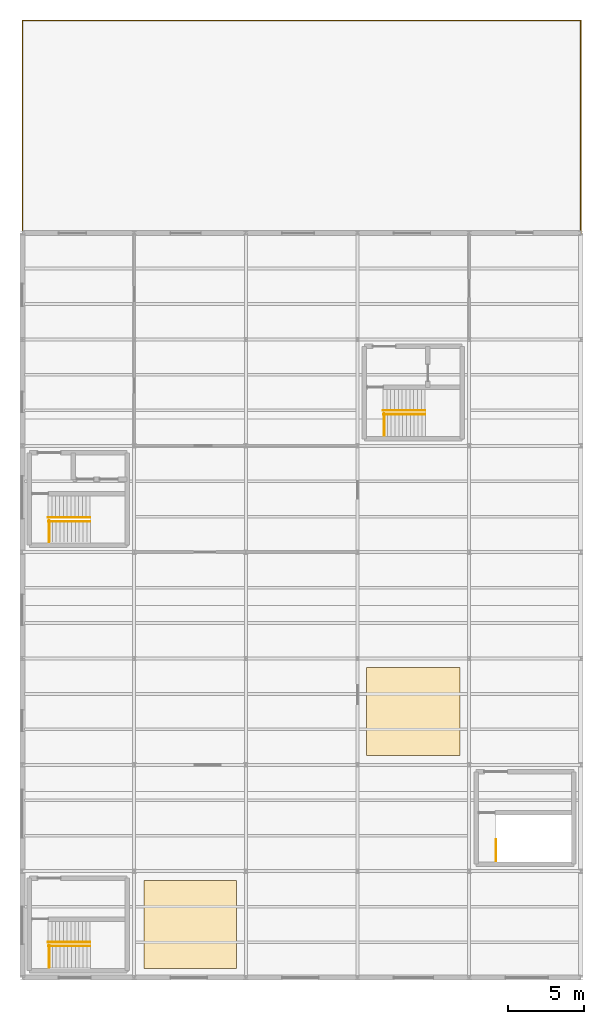
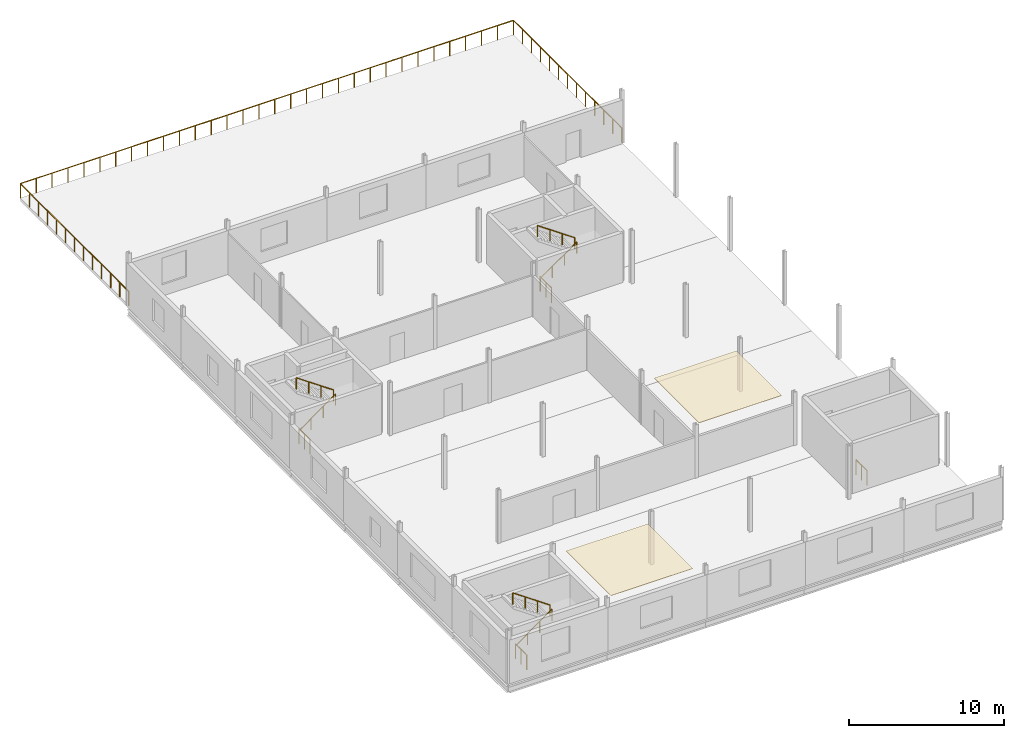
# One storey, part 9 of 9: 11 railings, 2 coverings.
"""IFC4 building model written with IfcOpenShell, lengths in metres."""

from ifc_helpers import new_model, si_unit, direction, frame, origin, origin_2d, place, context, subcontext, project, spatial, polyline, circle, outline, extrude, material, layer, layer_set, type_object, element, save


model = new_model("IFC4")

# Units and contexts
model_context = context("Model", 3, precision=1e-05, world=origin(), true_north=direction((0.0, 1.0)))
body_context = subcontext(model_context, "Body", "Model", "MODEL_VIEW")
ifc_project = project(units=[si_unit("LENGTHUNIT", "METRE"), si_unit("AREAUNIT", "SQUARE_METRE"), si_unit("VOLUMEUNIT", "CUBIC_METRE"), si_unit("PLANEANGLEUNIT", "RADIAN"), si_unit("MASSUNIT", "GRAM", prefix="KILO")], contexts=[model_context])

# Site, building, storey
site_placement = place(None, origin())
site = spatial("IfcSite", under=ifc_project, at=site_placement, CompositionType="ELEMENT")
building_placement = place(site_placement, origin())
building = spatial("IfcBuilding", under=site, at=building_placement, Name="Kazenagashi Tramway Depot", CompositionType="ELEMENT")
storey_placement = place(building_placement, frame((0.0, 0.0, 15.3)))
storey = spatial("IfcBuildingStorey", under=building, at=storey_placement, Name="L04", CompositionType="ELEMENT", Elevation=15.3)

# Coverings
ifc_material_1 = material(Name="Acoustic Mineral Fibre Board", Category="insulation")
ifc_layer = layer(ifc_material_1, 0.035)
ifc_layer_set = layer_set([ifc_layer], Name="Acoustic Mineral Fibre Board")
covering_type = type_object("IfcCoveringType", Name="CV-CE1", PredefinedType="CEILING", material=ifc_layer_set)
covering_1_placement = place(storey_placement, frame((0.0, 0.0, 3.67)))
element("IfcCovering", 1, at=covering_1_placement, inside=storey, type_object=covering_type, Name="Acoustic Baffle Ceiling Panel 6", PredefinedType="CEILING", context=body_context, shape_type="SweptSolid", body=[
    extrude(outline(polyline([(8.0, 0.6), (14.1, 0.6), (14.1, 6.4), (8.0, 6.4), (8.0, 0.6)])), origin(), (0.0, 0.0, 1.0), 0.035),
])
covering_2_placement = place(storey_placement, frame((0.0, 0.0, 3.67)))
element("IfcCovering", 2, at=covering_2_placement, inside=storey, type_object=covering_type, Name="Acoustic Baffle Ceiling Panel 7", PredefinedType="CEILING", context=body_context, shape_type="SweptSolid", body=[
    extrude(outline(polyline([(22.65, 14.6), (28.8, 14.6), (28.8, 20.4), (22.65, 20.4), (22.65, 14.6)])), origin(), (0.0, 0.0, 1.0), 0.035),
])

# Railings
ifc_material_2 = material(Name="Galvanised Painted Steel Balustrade", Category="steel")
railing_type_1 = type_object("IfcRailingType", Name="GR-01", PredefinedType="GUARDRAIL", material=ifc_material_2)
railing_1_placement = place(storey_placement, frame((0.0, 49.0, 0.0)))
element("IfcRailing", 3, at=railing_1_placement, inside=storey, type_object=railing_type_1, Name="Terrace Perimeter Guardrail GR-01 3", PredefinedType="GUARDRAIL", context=body_context, shape_type="SweptSolid", body=[
    extrude(circle(Radius=0.024, at=origin_2d()), frame((0.0, 0.0, 1.126), z_axis=(0.0, 1.0, 0.0), x_axis=(-1.0, 0.0, 0.0)), (0.0, 0.0, 1.0), 14.0),
    extrude(circle(Radius=0.024, at=origin_2d()), frame((0.0, 14.0, 1.126), z_axis=(1.0, 0.0, 0.0), x_axis=(0.0, 1.0, 0.0)), (0.0, 0.0, 1.0), 36.75),
    extrude(circle(Radius=0.024, at=origin_2d()), frame((36.75, 14.0, 1.126), z_axis=(0.0, -1.0, 0.0), x_axis=(1.0, 0.0, 0.0)), (0.0, 0.0, 1.0), 14.0),
    extrude(circle(Radius=0.021, at=origin_2d()), origin(), (0.0, 0.0, 1.0), 1.102),
    extrude(circle(Radius=0.021, at=origin_2d()), frame((0.0, 1.166667, 0.0)), (0.0, 0.0, 1.0), 1.102),
    extrude(circle(Radius=0.021, at=origin_2d()), frame((0.0, 2.333333, 0.0)), (0.0, 0.0, 1.0), 1.102),
    extrude(circle(Radius=0.021, at=origin_2d()), frame((0.0, 3.5, 0.0)), (0.0, 0.0, 1.0), 1.102),
    extrude(circle(Radius=0.021, at=origin_2d()), frame((0.0, 4.666667, 0.0)), (0.0, 0.0, 1.0), 1.102),
    extrude(circle(Radius=0.021, at=origin_2d()), frame((0.0, 5.833333, 0.0)), (0.0, 0.0, 1.0), 1.102),
    extrude(circle(Radius=0.021, at=origin_2d()), frame((0.0, 7.0, 0.0)), (0.0, 0.0, 1.0), 1.102),
    extrude(circle(Radius=0.021, at=origin_2d()), frame((0.0, 8.166667, 0.0)), (0.0, 0.0, 1.0), 1.102),
    extrude(circle(Radius=0.021, at=origin_2d()), frame((0.0, 9.333333, 0.0)), (0.0, 0.0, 1.0), 1.102),
    extrude(circle(Radius=0.021, at=origin_2d()), frame((0.0, 10.5, 0.0)), (0.0, 0.0, 1.0), 1.102),
    extrude(circle(Radius=0.021, at=origin_2d()), frame((0.0, 11.666667, 0.0)), (0.0, 0.0, 1.0), 1.102),
    extrude(circle(Radius=0.021, at=origin_2d()), frame((0.0, 12.833333, 0.0)), (0.0, 0.0, 1.0), 1.102),
    extrude(circle(Radius=0.021, at=origin_2d()), frame((0.0, 14.0, 0.0)), (0.0, 0.0, 1.0), 1.102),
    extrude(circle(Radius=0.021, at=origin_2d()), frame((1.185484, 14.0, 0.0)), (0.0, 0.0, 1.0), 1.102),
    extrude(circle(Radius=0.021, at=origin_2d()), frame((2.370968, 14.0, 0.0)), (0.0, 0.0, 1.0), 1.102),
    extrude(circle(Radius=0.021, at=origin_2d()), frame((3.556452, 14.0, 0.0)), (0.0, 0.0, 1.0), 1.102),
    extrude(circle(Radius=0.021, at=origin_2d()), frame((4.741935, 14.0, 0.0)), (0.0, 0.0, 1.0), 1.102),
    extrude(circle(Radius=0.021, at=origin_2d()), frame((5.927419, 14.0, 0.0)), (0.0, 0.0, 1.0), 1.102),
    extrude(circle(Radius=0.021, at=origin_2d()), frame((7.112903, 14.0, 0.0)), (0.0, 0.0, 1.0), 1.102),
    extrude(circle(Radius=0.021, at=origin_2d()), frame((8.298387, 14.0, 0.0)), (0.0, 0.0, 1.0), 1.102),
    extrude(circle(Radius=0.021, at=origin_2d()), frame((9.483871, 14.0, 0.0)), (0.0, 0.0, 1.0), 1.102),
    extrude(circle(Radius=0.021, at=origin_2d()), frame((10.669355, 14.0, 0.0)), (0.0, 0.0, 1.0), 1.102),
    extrude(circle(Radius=0.021, at=origin_2d()), frame((11.854839, 14.0, 0.0)), (0.0, 0.0, 1.0), 1.102),
    extrude(circle(Radius=0.021, at=origin_2d()), frame((13.040323, 14.0, 0.0)), (0.0, 0.0, 1.0), 1.102),
    extrude(circle(Radius=0.021, at=origin_2d()), frame((14.225806, 14.0, 0.0)), (0.0, 0.0, 1.0), 1.102),
    extrude(circle(Radius=0.021, at=origin_2d()), frame((15.41129, 14.0, 0.0)), (0.0, 0.0, 1.0), 1.102),
    extrude(circle(Radius=0.021, at=origin_2d()), frame((16.596774, 14.0, 0.0)), (0.0, 0.0, 1.0), 1.102),
    extrude(circle(Radius=0.021, at=origin_2d()), frame((17.782258, 14.0, 0.0)), (0.0, 0.0, 1.0), 1.102),
    extrude(circle(Radius=0.021, at=origin_2d()), frame((18.967742, 14.0, 0.0)), (0.0, 0.0, 1.0), 1.102),
    extrude(circle(Radius=0.021, at=origin_2d()), frame((20.153226, 14.0, 0.0)), (0.0, 0.0, 1.0), 1.102),
    extrude(circle(Radius=0.021, at=origin_2d()), frame((21.33871, 14.0, 0.0)), (0.0, 0.0, 1.0), 1.102),
    extrude(circle(Radius=0.021, at=origin_2d()), frame((22.524194, 14.0, 0.0)), (0.0, 0.0, 1.0), 1.102),
    extrude(circle(Radius=0.021, at=origin_2d()), frame((23.709677, 14.0, 0.0)), (0.0, 0.0, 1.0), 1.102),
    extrude(circle(Radius=0.021, at=origin_2d()), frame((24.895161, 14.0, 0.0)), (0.0, 0.0, 1.0), 1.102),
    extrude(circle(Radius=0.021, at=origin_2d()), frame((26.080645, 14.0, 0.0)), (0.0, 0.0, 1.0), 1.102),
    extrude(circle(Radius=0.021, at=origin_2d()), frame((27.266129, 14.0, 0.0)), (0.0, 0.0, 1.0), 1.102),
    extrude(circle(Radius=0.021, at=origin_2d()), frame((28.451613, 14.0, 0.0)), (0.0, 0.0, 1.0), 1.102),
    extrude(circle(Radius=0.021, at=origin_2d()), frame((29.637097, 14.0, 0.0)), (0.0, 0.0, 1.0), 1.102),
    extrude(circle(Radius=0.021, at=origin_2d()), frame((30.822581, 14.0, 0.0)), (0.0, 0.0, 1.0), 1.102),
    extrude(circle(Radius=0.021, at=origin_2d()), frame((32.008065, 14.0, 0.0)), (0.0, 0.0, 1.0), 1.102),
    extrude(circle(Radius=0.021, at=origin_2d()), frame((33.193548, 14.0, 0.0)), (0.0, 0.0, 1.0), 1.102),
    extrude(circle(Radius=0.021, at=origin_2d()), frame((34.379032, 14.0, 0.0)), (0.0, 0.0, 1.0), 1.102),
    extrude(circle(Radius=0.021, at=origin_2d()), frame((35.564516, 14.0, 0.0)), (0.0, 0.0, 1.0), 1.102),
    extrude(circle(Radius=0.021, at=origin_2d()), frame((36.75, 14.0, 0.0)), (0.0, 0.0, 1.0), 1.102),
    extrude(circle(Radius=0.021, at=origin_2d()), frame((36.75, 12.833333, 0.0)), (0.0, 0.0, 1.0), 1.102),
    extrude(circle(Radius=0.021, at=origin_2d()), frame((36.75, 11.666667, 0.0)), (0.0, 0.0, 1.0), 1.102),
    extrude(circle(Radius=0.021, at=origin_2d()), frame((36.75, 10.5, 0.0)), (0.0, 0.0, 1.0), 1.102),
    extrude(circle(Radius=0.021, at=origin_2d()), frame((36.75, 9.333333, 0.0)), (0.0, 0.0, 1.0), 1.102),
    extrude(circle(Radius=0.021, at=origin_2d()), frame((36.75, 8.166667, 0.0)), (0.0, 0.0, 1.0), 1.102),
    extrude(circle(Radius=0.021, at=origin_2d()), frame((36.75, 7.0, 0.0)), (0.0, 0.0, 1.0), 1.102),
    extrude(circle(Radius=0.021, at=origin_2d()), frame((36.75, 5.833333, 0.0)), (0.0, 0.0, 1.0), 1.102),
    extrude(circle(Radius=0.021, at=origin_2d()), frame((36.75, 4.666667, 0.0)), (0.0, 0.0, 1.0), 1.102),
    extrude(circle(Radius=0.021, at=origin_2d()), frame((36.75, 3.5, 0.0)), (0.0, 0.0, 1.0), 1.102),
    extrude(circle(Radius=0.021, at=origin_2d()), frame((36.75, 2.333333, 0.0)), (0.0, 0.0, 1.0), 1.102),
    extrude(circle(Radius=0.021, at=origin_2d()), frame((36.75, 1.166667, 0.0)), (0.0, 0.0, 1.0), 1.102),
    extrude(circle(Radius=0.021, at=origin_2d()), frame((36.75, 0.0, 0.0)), (0.0, 0.0, 1.0), 1.102),
])
railing_2_placement = place(storey_placement, frame((1.76, 28.67, 0.0)))
element("IfcRailing", 4, at=railing_2_placement, inside=storey, type_object=railing_type_1, Name="Stairwell ST-03 Arrival Guardrail", PredefinedType="GUARDRAIL", context=body_context, shape_type="SweptSolid", body=[
    extrude(circle(Radius=0.024, at=origin_2d()), frame((0.0, 0.0, 1.156), z_axis=(0.0, 1.0, 0.0), x_axis=(-1.0, 0.0, 0.0)), (0.0, 0.0, 1.0), 1.4),
    extrude(circle(Radius=0.021, at=origin_2d()), origin(), (0.0, 0.0, 1.0), 1.132),
    extrude(circle(Radius=0.021, at=origin_2d()), frame((0.0, 0.7, 0.0)), (0.0, 0.0, 1.0), 1.132),
    extrude(circle(Radius=0.021, at=origin_2d()), frame((0.0, 1.4, 0.0)), (0.0, 0.0, 1.0), 1.132),
])
railing_3_placement = place(storey_placement, frame((23.81, 35.67, 0.0)))
element("IfcRailing", 5, at=railing_3_placement, inside=storey, type_object=railing_type_1, Name="Stairwell ST-07 Arrival Guardrail", PredefinedType="GUARDRAIL", context=body_context, shape_type="SweptSolid", body=[
    extrude(circle(Radius=0.024, at=origin_2d()), frame((0.0, 0.0, 1.156), z_axis=(0.0, 1.0, 0.0), x_axis=(-1.0, 0.0, 0.0)), (0.0, 0.0, 1.0), 1.45),
    extrude(circle(Radius=0.021, at=origin_2d()), origin(), (0.0, 0.0, 1.0), 1.132),
    extrude(circle(Radius=0.021, at=origin_2d()), frame((0.0, 0.725, 0.0)), (0.0, 0.0, 1.0), 1.132),
    extrude(circle(Radius=0.021, at=origin_2d()), frame((0.0, 1.45, 0.0)), (0.0, 0.0, 1.0), 1.132),
])
railing_4_placement = place(storey_placement, frame((31.16, 7.67, 0.0)))
element("IfcRailing", 6, at=railing_4_placement, inside=storey, type_object=railing_type_1, Name="Stairwell ST-11 Arrival Guardrail", PredefinedType="GUARDRAIL", context=body_context, shape_type="SweptSolid", body=[
    extrude(circle(Radius=0.024, at=origin_2d()), frame((0.0, 0.0, 1.156), z_axis=(0.0, 1.0, 0.0), x_axis=(-1.0, 0.0, 0.0)), (0.0, 0.0, 1.0), 1.4),
    extrude(circle(Radius=0.021, at=origin_2d()), origin(), (0.0, 0.0, 1.0), 1.132),
    extrude(circle(Radius=0.021, at=origin_2d()), frame((0.0, 0.7, 0.0)), (0.0, 0.0, 1.0), 1.132),
    extrude(circle(Radius=0.021, at=origin_2d()), frame((0.0, 1.4, 0.0)), (0.0, 0.0, 1.0), 1.132),
])
railing_5_placement = place(storey_placement, frame((1.76, 0.67, 0.0)))
element("IfcRailing", 7, at=railing_5_placement, inside=storey, type_object=railing_type_1, Name="Stairwell ST-14 Arrival Guardrail", PredefinedType="GUARDRAIL", context=body_context, shape_type="SweptSolid", body=[
    extrude(circle(Radius=0.024, at=origin_2d()), frame((0.0, 0.0, 1.156), z_axis=(0.0, 1.0, 0.0), x_axis=(-1.0, 0.0, 0.0)), (0.0, 0.0, 1.0), 1.45),
    extrude(circle(Radius=0.021, at=origin_2d()), origin(), (0.0, 0.0, 1.0), 1.132),
    extrude(circle(Radius=0.021, at=origin_2d()), frame((0.0, 0.725, 0.0)), (0.0, 0.0, 1.0), 1.132),
    extrude(circle(Radius=0.021, at=origin_2d()), frame((0.0, 1.45, 0.0)), (0.0, 0.0, 1.0), 1.132),
])
ifc_material_3 = material(Name="Brushed Stainless Steel Handrail", Category="steel")
railing_type_2 = type_object("IfcRailingType", Name="HR-01", PredefinedType="HANDRAIL", material=ifc_material_3)
railing_6_placement = place(storey_placement, frame((1.72, 30.02, 0.175)))
element("IfcRailing", 8, at=railing_6_placement, inside=storey, type_object=railing_type_2, Name="Stair ST-04 Lower Handrail", PredefinedType="HANDRAIL", context=body_context, shape_type="SweptSolid", body=[
    extrude(circle(Radius=0.024, at=origin_2d()), frame((0.0, 0.0, 0.876), z_axis=(0.817456817738, 0.0, 0.575989888048), x_axis=(0.0, 1.0, 0.0)), (0.0, 0.0, 1.0), 3.342073),
    extrude(circle(Radius=0.021, at=origin_2d()), origin(), (0.0, 0.0, 1.0), 0.852),
    extrude(circle(Radius=0.021, at=origin_2d()), frame((0.910667, 0.0, 0.641667)), (0.0, 0.0, 1.0), 0.852),
    extrude(circle(Radius=0.021, at=origin_2d()), frame((1.821333, 0.0, 1.283333)), (0.0, 0.0, 1.0), 0.852),
    extrude(circle(Radius=0.021, at=origin_2d()), frame((2.732, 0.0, 1.925)), (0.0, 0.0, 1.0), 0.852),
])
railing_7_placement = place(storey_placement, frame((4.452, 30.28, 2.275)))
element("IfcRailing", 9, at=railing_7_placement, inside=storey, type_object=railing_type_2, Name="Stair ST-04 Upper Handrail", PredefinedType="HANDRAIL", context=body_context, shape_type="SweptSolid", body=[
    extrude(circle(Radius=0.024, at=origin_2d()), frame((0.0, 0.0, 0.876), z_axis=(-0.821369965673, 0.0, 0.570395809495), x_axis=(0.0, -1.0, 0.0)), (0.0, 0.0, 1.0), 3.374849),
    extrude(circle(Radius=0.021, at=origin_2d()), origin(), (0.0, 0.0, 1.0), 0.852),
    extrude(circle(Radius=0.021, at=origin_2d()), frame((-0.924, 0.0, 0.641667)), (0.0, 0.0, 1.0), 0.852),
    extrude(circle(Radius=0.021, at=origin_2d()), frame((-1.848, 0.0, 1.283333)), (0.0, 0.0, 1.0), 0.852),
    extrude(circle(Radius=0.021, at=origin_2d()), frame((-2.772, 0.0, 1.925)), (0.0, 0.0, 1.0), 0.852),
])
railing_8_placement = place(storey_placement, frame((23.77, 37.07, 0.175)))
element("IfcRailing", 10, at=railing_8_placement, inside=storey, type_object=railing_type_2, Name="Stair ST-08 Lower Handrail", PredefinedType="HANDRAIL", context=body_context, shape_type="SweptSolid", body=[
    extrude(circle(Radius=0.024, at=origin_2d()), frame((0.0, 0.0, 0.876), z_axis=(0.817456817738, 0.0, 0.575989888048), x_axis=(0.0, 1.0, 0.0)), (0.0, 0.0, 1.0), 3.342073),
    extrude(circle(Radius=0.021, at=origin_2d()), origin(), (0.0, 0.0, 1.0), 0.852),
    extrude(circle(Radius=0.021, at=origin_2d()), frame((0.910667, 0.0, 0.641667)), (0.0, 0.0, 1.0), 0.852),
    extrude(circle(Radius=0.021, at=origin_2d()), frame((1.821333, 0.0, 1.283333)), (0.0, 0.0, 1.0), 0.852),
    extrude(circle(Radius=0.021, at=origin_2d()), frame((2.732, 0.0, 1.925)), (0.0, 0.0, 1.0), 0.852),
])
railing_9_placement = place(storey_placement, frame((26.502, 37.33, 2.275)))
element("IfcRailing", 11, at=railing_9_placement, inside=storey, type_object=railing_type_2, Name="Stair ST-08 Upper Handrail", PredefinedType="HANDRAIL", context=body_context, shape_type="SweptSolid", body=[
    extrude(circle(Radius=0.024, at=origin_2d()), frame((0.0, 0.0, 0.876), z_axis=(-0.821369965673, 0.0, 0.570395809495), x_axis=(0.0, -1.0, 0.0)), (0.0, 0.0, 1.0), 3.374849),
    extrude(circle(Radius=0.021, at=origin_2d()), origin(), (0.0, 0.0, 1.0), 0.852),
    extrude(circle(Radius=0.021, at=origin_2d()), frame((-0.924, 0.0, 0.641667)), (0.0, 0.0, 1.0), 0.852),
    extrude(circle(Radius=0.021, at=origin_2d()), frame((-1.848, 0.0, 1.283333)), (0.0, 0.0, 1.0), 0.852),
    extrude(circle(Radius=0.021, at=origin_2d()), frame((-2.772, 0.0, 1.925)), (0.0, 0.0, 1.0), 0.852),
])
railing_10_placement = place(storey_placement, frame((1.72, 2.07, 0.175)))
element("IfcRailing", 12, at=railing_10_placement, inside=storey, type_object=railing_type_2, Name="Stair ST-15 Lower Handrail", PredefinedType="HANDRAIL", context=body_context, shape_type="SweptSolid", body=[
    extrude(circle(Radius=0.024, at=origin_2d()), frame((0.0, 0.0, 0.876), z_axis=(0.817456817738, 0.0, 0.575989888048), x_axis=(0.0, 1.0, 0.0)), (0.0, 0.0, 1.0), 3.342073),
    extrude(circle(Radius=0.021, at=origin_2d()), origin(), (0.0, 0.0, 1.0), 0.852),
    extrude(circle(Radius=0.021, at=origin_2d()), frame((0.910667, 0.0, 0.641667)), (0.0, 0.0, 1.0), 0.852),
    extrude(circle(Radius=0.021, at=origin_2d()), frame((1.821333, 0.0, 1.283333)), (0.0, 0.0, 1.0), 0.852),
    extrude(circle(Radius=0.021, at=origin_2d()), frame((2.732, 0.0, 1.925)), (0.0, 0.0, 1.0), 0.852),
])
railing_11_placement = place(storey_placement, frame((4.452, 2.33, 2.275)))
element("IfcRailing", 13, at=railing_11_placement, inside=storey, type_object=railing_type_2, Name="Stair ST-15 Upper Handrail", PredefinedType="HANDRAIL", context=body_context, shape_type="SweptSolid", body=[
    extrude(circle(Radius=0.024, at=origin_2d()), frame((0.0, 0.0, 0.876), z_axis=(-0.821369965673, 0.0, 0.570395809495), x_axis=(0.0, -1.0, 0.0)), (0.0, 0.0, 1.0), 3.374849),
    extrude(circle(Radius=0.021, at=origin_2d()), origin(), (0.0, 0.0, 1.0), 0.852),
    extrude(circle(Radius=0.021, at=origin_2d()), frame((-0.924, 0.0, 0.641667)), (0.0, 0.0, 1.0), 0.852),
    extrude(circle(Radius=0.021, at=origin_2d()), frame((-1.848, 0.0, 1.283333)), (0.0, 0.0, 1.0), 0.852),
    extrude(circle(Radius=0.021, at=origin_2d()), frame((-2.772, 0.0, 1.925)), (0.0, 0.0, 1.0), 0.852),
])

save(model, "model.ifc")
